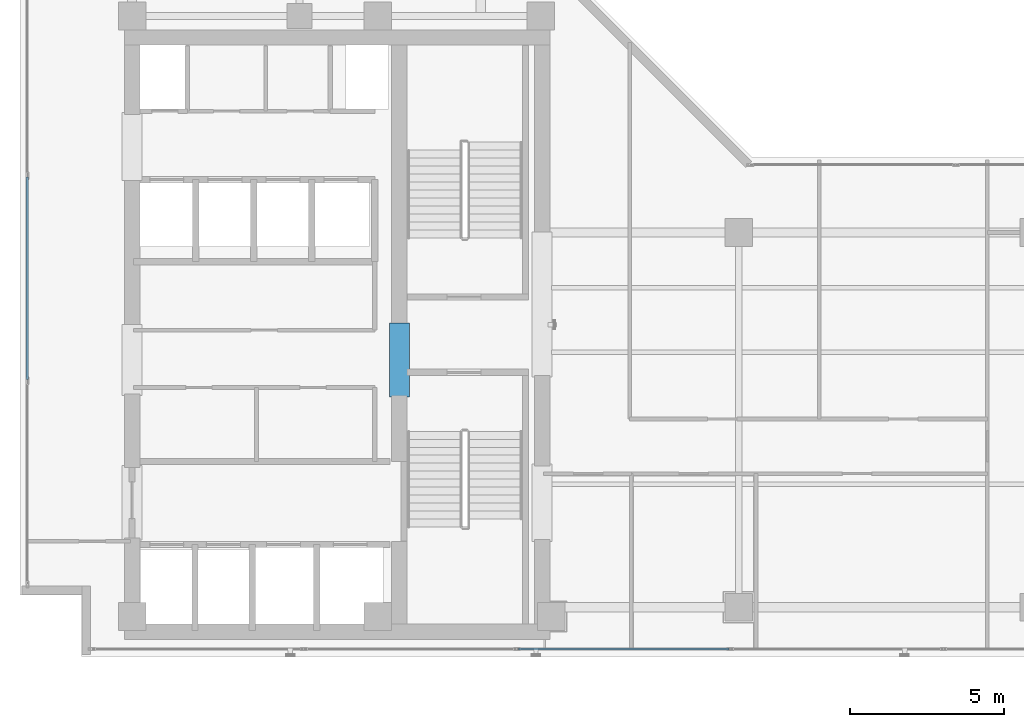
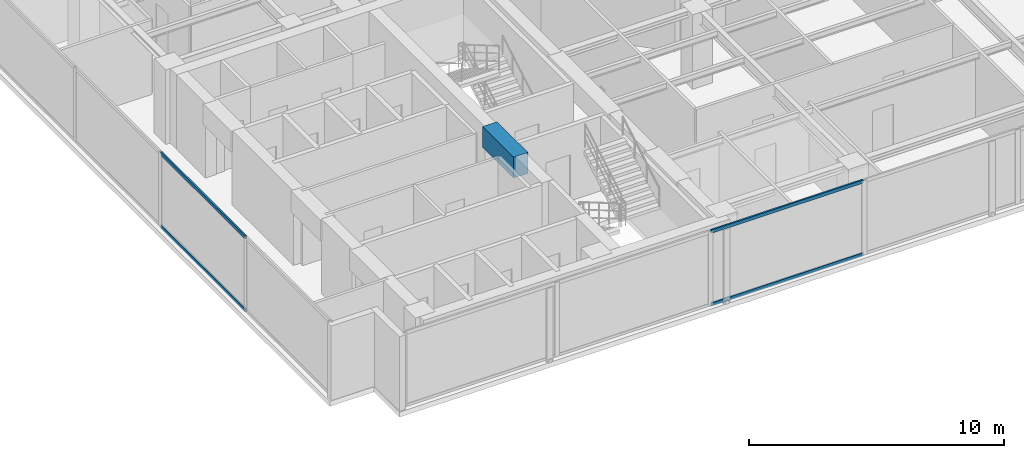
# One storey, part 3 of 23: 4 members, 1 beam, 2 elements without a shape of their own.
"""IFC4 building model written with IfcOpenShell, lengths in metres."""

from ifc_helpers import new_model, si_unit, direction, frame, origin, origin_with_axes, origin_2d, place, context, subcontext, project, spatial, rectangle, hollow_rectangle, extrude, source, transform, mapped, material, layer, layer_set, material_profile, profile_set, type_object, element, aggregate, save


model = new_model("IFC4")

# Units and contexts
model_context = context("Model", 3, precision=1e-05, world=origin(), true_north=direction((0.0, 1.0)))
body_context = subcontext(model_context, "Body", "Model", "MODEL_VIEW")
ifc_project = project(units=[si_unit("LENGTHUNIT", "METRE"), si_unit("AREAUNIT", "SQUARE_METRE"), si_unit("VOLUMEUNIT", "CUBIC_METRE"), si_unit("PLANEANGLEUNIT", "RADIAN"), si_unit("MASSUNIT", "GRAM", prefix="KILO")], contexts=[model_context])

# Site, building, storey
site_placement = place(None, origin())
site = spatial("IfcSite", under=ifc_project, at=site_placement, CompositionType="ELEMENT")
building_placement = place(site_placement, origin())
building = spatial("IfcBuilding", under=site, at=building_placement, Name="Kolvaren Waterfront Exchange", CompositionType="ELEMENT")
storey_placement = place(building_placement, frame((0.0, 0.0, 319.800048828125)))
storey = spatial("IfcBuildingStorey", under=building, at=storey_placement, Name="L82", CompositionType="ELEMENT", Elevation=319.800048828125)

# Beam
ifc_material_1 = material(Name="Concrete C60/75", Category="concrete")
ifc_material_profile_1 = material_profile(ifc_material_1, rectangle(XDim=0.64990234375, YDim=1.0, at=origin_2d()), Name="RC-CB-1000x650")
ifc_profile_set_1 = profile_set([ifc_material_profile_1], Name="Concrete C60/75")
beam_type = type_object("IfcBeamType", Name="STR-CB-1000", PredefinedType="SPANDREL", material=ifc_profile_set_1)
beam_placement = place(storey_placement, frame((16.14990234375, 12.0400390625, 3.06005859375), z_axis=(0.0, 1.0, 0.0), x_axis=(-1.0, 0.0, 0.0)))
element("IfcBeam", 1, at=beam_placement, inside=storey, type_object=beam_type, Name="L82 core coupling beam 6", PredefinedType="SPANDREL", context=body_context, shape_type="SweptSolid", body=[
    extrude(rectangle(XDim=0.64990234375, YDim=1.0, at=origin_2d()), origin(), (0.0, 0.0, 1.0), 2.419921875),
])

# Curtain wall, members
ifc_material_2 = material(Name="Anodised bronze aluminium 6063-T6", Category="aluminium")
ifc_layer_1 = layer(ifc_material_2, 0.219970703125, Name="Anodised bronze aluminium 6063-T6")
ifc_layer_set_1 = layer_set([ifc_layer_1], Name="Anodised bronze aluminium 6063-T6")
curtain_wall_type_1 = type_object("IfcCurtainWallType", Name="ARC-CW-SYS1", PredefinedType="USERDEFINED", material=ifc_layer_set_1)
curtain_wall_1_placement = place(storey_placement, origin())
curtain_wall_1 = element("IfcCurtainWall", 2, at=curtain_wall_1_placement, inside=storey, type_object=curtain_wall_type_1, Name="L82 stick curtain wall CW1 (CW-L82-S)", ObjectType="STICK CURTAIN WALL", PredefinedType="USERDEFINED")
ifc_material_3 = material(Name="Anodised aluminium 6063-T6", Category="aluminium")
ifc_material_profile_2 = material_profile(ifc_material_3, hollow_rectangle(XDim=0.074951171875, YDim=0.159912109375, WallThickness=0.00439453125, at=origin_2d()), Name="ALU-TRN-160x75x4.5")
ifc_profile_set_2 = profile_set([ifc_material_profile_2], Name="Anodised aluminium 6063-T6")
member_type = type_object("IfcMemberType", Name="ARC-CWT-160", PredefinedType="USERDEFINED", material=ifc_profile_set_2)
shared_shape_1 = source(origin_with_axes(), body_context, "Body", "SweptSolid", [
    extrude(hollow_rectangle(XDim=0.074951171875, YDim=0.159912109375, WallThickness=0.00439453125, at=origin_2d()), origin(), (0.0, 0.0, 1.0), 6.861328125),
])
member_1_placement = place(storey_placement, frame((20.0224609375, 3.840087890625, 0.037353515625), z_axis=(1.0, 0.0, 0.0), x_axis=(0.0, 1.0, 0.0)))
member_1 = element("IfcMember", 3, at=member_1_placement, type_object=member_type, Name="CW1 transom 3.1", ObjectType="TRANSOM", PredefinedType="USERDEFINED", context=body_context, shape_type="MappedRepresentation", body=[
    mapped(shared_shape_1, transform((0.0, 0.0, 0.0), x_axis=(1.0, 0.0, 0.0), y_axis=(0.0, 1.0, 0.0), z_axis=(0.0, 0.0, 1.0), scale=1.0)),
])
member_2_placement = place(storey_placement, frame((20.0224609375, 3.840087890625, 3.5224609375), z_axis=(1.0, 0.0, 0.0), x_axis=(0.0, 1.0, 0.0)))
member_2 = element("IfcMember", 4, at=member_2_placement, type_object=member_type, Name="CW1 transom 3.2", ObjectType="TRANSOM", PredefinedType="USERDEFINED", context=body_context, shape_type="MappedRepresentation", body=[
    mapped(shared_shape_1, transform((0.0, 0.0, 0.0), x_axis=(1.0, 0.0, 0.0), y_axis=(0.0, 1.0, 0.0), z_axis=(0.0, 0.0, 1.0), scale=1.0)),
])
aggregate(curtain_wall_1, [member_1, member_2])

ifc_layer_2 = layer(ifc_material_3, 0.219970703125, Name="Anodised aluminium 6063-T6")
ifc_layer_set_2 = layer_set([ifc_layer_2], Name="Anodised aluminium 6063-T6")
curtain_wall_type_2 = type_object("IfcCurtainWallType", Name="ARC-CW-SYS2", PredefinedType="USERDEFINED", material=ifc_layer_set_2)
curtain_wall_2_placement = place(storey_placement, origin())
curtain_wall_2 = element("IfcCurtainWall", 5, at=curtain_wall_2_placement, inside=storey, type_object=curtain_wall_type_2, Name="L82 stick curtain wall CW2 (CW-L82-W)", ObjectType="STICK CURTAIN WALL", PredefinedType="USERDEFINED")
shared_shape_2 = source(origin_with_axes(), body_context, "Body", "SweptSolid", [
    extrude(hollow_rectangle(XDim=0.074951171875, YDim=0.159912109375, WallThickness=0.00439453125, at=origin_2d()), origin(), (0.0, 0.0, 1.0), 6.5947265625),
])
member_3_placement = place(storey_placement, frame((4.0400390625, 12.614501953125, 0.037353515625), z_axis=(0.0, 1.0, 0.0), x_axis=(-1.0, 0.0, 0.0)))
member_3 = element("IfcMember", 6, at=member_3_placement, type_object=member_type, Name="CW2 transom 2.1", ObjectType="TRANSOM", PredefinedType="USERDEFINED", context=body_context, shape_type="MappedRepresentation", body=[
    mapped(shared_shape_2, transform((0.0, 0.0, 0.0), x_axis=(1.0, 0.0, 0.0), y_axis=(0.0, 1.0, 0.0), z_axis=(0.0, 0.0, 1.0), scale=1.0)),
])
member_4_placement = place(storey_placement, frame((4.0400390625, 12.614501953125, 3.5224609375), z_axis=(0.0, 1.0, 0.0), x_axis=(-1.0, 0.0, 0.0)))
member_4 = element("IfcMember", 7, at=member_4_placement, type_object=member_type, Name="CW2 transom 2.2", ObjectType="TRANSOM", PredefinedType="USERDEFINED", context=body_context, shape_type="MappedRepresentation", body=[
    mapped(shared_shape_2, transform((0.0, 0.0, 0.0), x_axis=(1.0, 0.0, 0.0), y_axis=(0.0, 1.0, 0.0), z_axis=(0.0, 0.0, 1.0), scale=1.0)),
])
aggregate(curtain_wall_2, [member_3, member_4])

save(model, "model.ifc")
